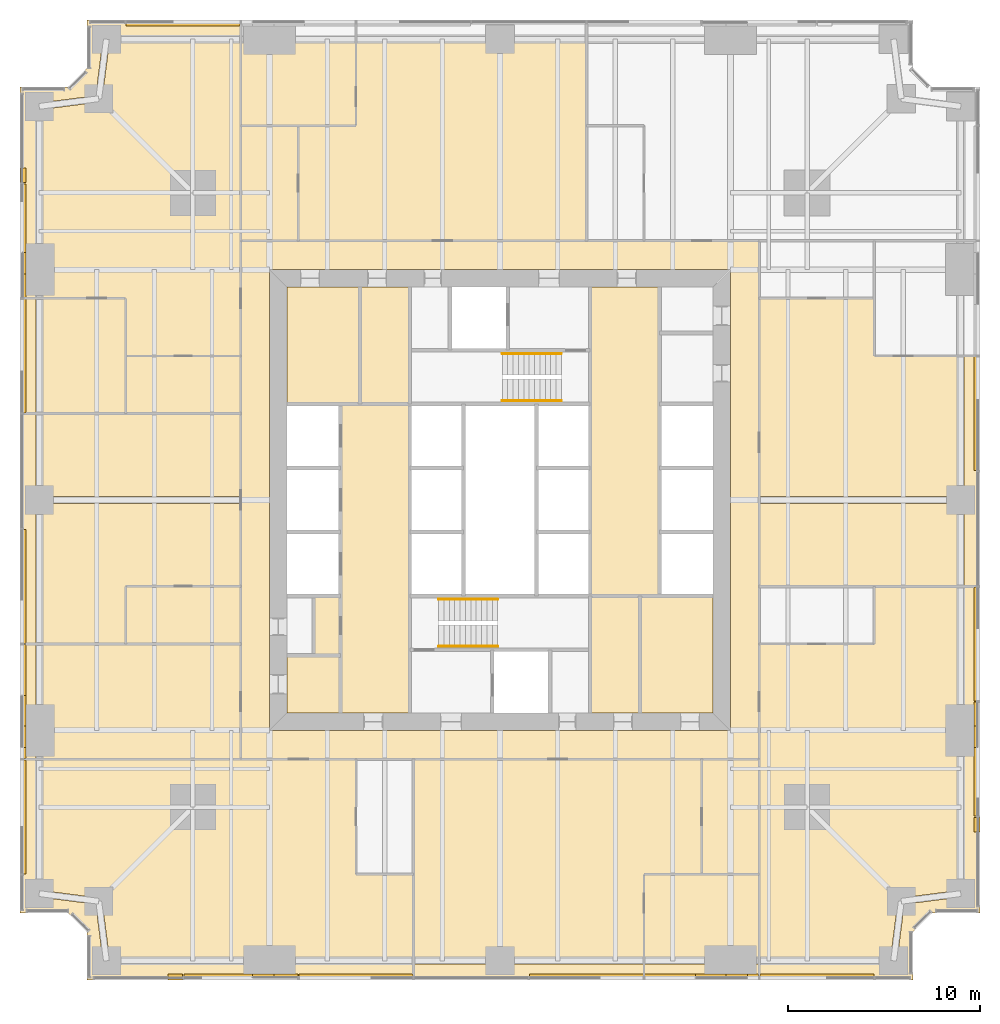
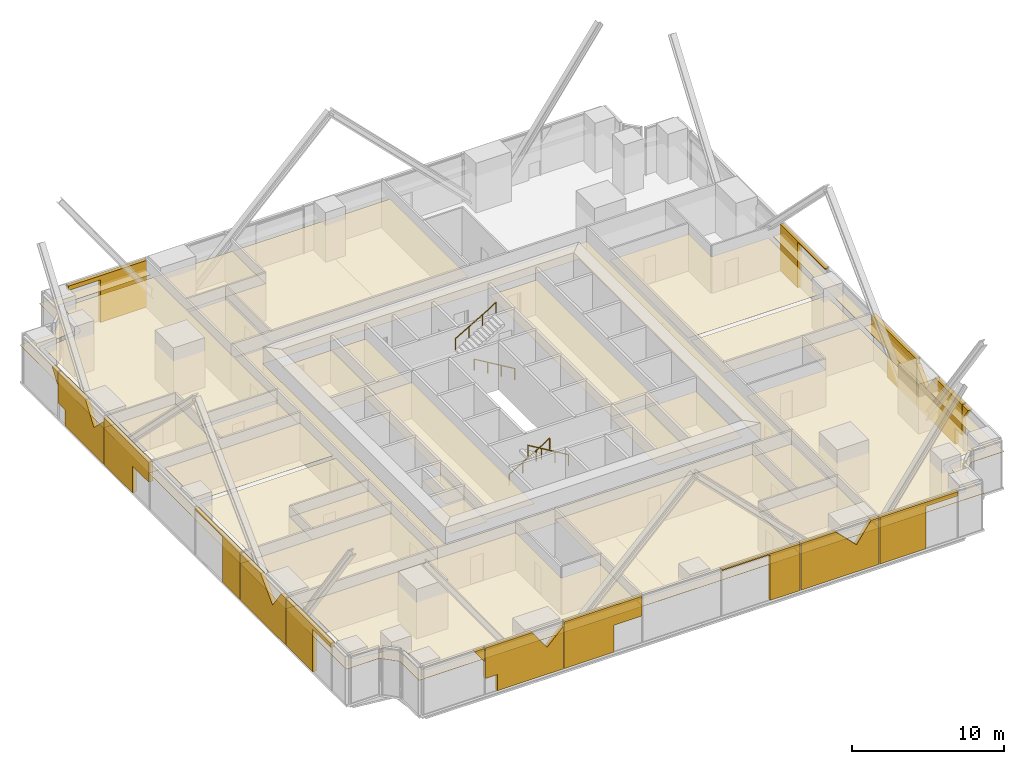
# One storey, part 12 of 13: 52 coverings, 4 railings.
"""IFC4 building model written with IfcOpenShell, lengths in metres."""

from ifc_helpers import new_model, si_unit, direction, frame, origin, origin_2d, place, context, subcontext, project, spatial, polyline, circle, outline, extrude, material, layer, layer_set, type_object, element, save


model = new_model("IFC4")

# Units and contexts
model_context = context("Model", 3, precision=1e-05, world=origin(), true_north=direction((0.0, 1.0)))
body_context = subcontext(model_context, "Body", "Model", "MODEL_VIEW")
ifc_project = project(units=[si_unit("LENGTHUNIT", "METRE"), si_unit("AREAUNIT", "SQUARE_METRE"), si_unit("VOLUMEUNIT", "CUBIC_METRE"), si_unit("PLANEANGLEUNIT", "RADIAN"), si_unit("MASSUNIT", "GRAM", prefix="KILO")], contexts=[model_context])

# Site, building, storey
site_placement = place(None, origin())
site = spatial("IfcSite", under=ifc_project, at=site_placement, CompositionType="ELEMENT")
building_placement = place(site_placement, origin())
building = spatial("IfcBuilding", under=site, at=building_placement, Name="Fenwick Lantern Interchange", CompositionType="ELEMENT")
storey_placement = place(building_placement, frame((0.0, 0.0, 55.0)))
storey = spatial("IfcBuildingStorey", under=building, at=storey_placement, Name="L12", CompositionType="ELEMENT", Elevation=55.0)

# Coverings
ifc_material_1 = material(Name="Mineral fibre acoustic tile on suspended grid")
ifc_layer_1 = layer(ifc_material_1, 0.02001953125)
ifc_layer_set_1 = layer_set([ifc_layer_1], Name="ACOUSTIC TILE CEILING 20")
covering_type_1 = type_object("IfcCoveringType", Name="ACOUSTIC TILE CEILING 20", PredefinedType="CEILING", material=ifc_layer_set_1)
covering_1_placement = place(storey_placement, frame((0.0, 0.0, 2.89990234375)))
element("IfcCovering", 1, at=covering_1_placement, inside=storey, type_object=covering_type_1, Name="Office suite ceiling", PredefinedType="CEILING", context=body_context, shape_type="SweptSolid", body=[
    extrude(outline(polyline([(20.5, 1.17236328125), (20.5, 5.5), (17.5, 5.5), (17.5, 11.5), (1.17236328125, 11.5), (1.17236328125, 4.651611328125), (4.1220703125, 4.27099609375), (4.10009765625, 4.10009765625), (4.27099609375, 4.1220703125), (4.651611328125, 1.17236328125), (13.0, 1.17236328125), (20.5, 1.17236328125)])), origin(), (0.0, 0.0, 1.0), 0.02001953125),
])
covering_2_placement = place(storey_placement, frame((0.0, 0.0, 2.89990234375)))
element("IfcCovering", 2, at=covering_2_placement, inside=storey, type_object=covering_type_1, Name="Office suite ceiling", PredefinedType="CEILING", context=body_context, shape_type="SweptSolid", body=[
    extrude(outline(polyline([(20.5, 0.0), (20.5, 0.82763671875), (13.0, 0.82763671875), (4.5, 0.82763671875), (4.5, 1.0), (4.3291015625, 0.97802734375), (3.946044921875, 3.946044921875), (0.97802734375, 4.3291015625), (1.0, 4.5), (0.82763671875, 4.5), (0.82763671875, 11.5), (0.0, 11.5), (0.0, 3.5), (2.5, 3.5), (3.5, 2.5), (3.5, 0.0), (20.5, 0.0)])), origin(), (0.0, 0.0, 1.0), 0.02001953125),
])
covering_3_placement = place(storey_placement, frame((0.0, 0.0, 2.89990234375)))
element("IfcCovering", 3, at=covering_3_placement, inside=storey, type_object=covering_type_1, Name="Office suite ceiling", PredefinedType="CEILING", context=body_context, shape_type="SweptSolid", body=[
    extrude(outline(polyline([(20.5, 11.5), (20.5, 1.17236328125), (25.0, 1.17236328125), (32.5, 1.17236328125), (32.5, 5.5), (35.5, 5.5), (35.5, 11.5), (20.5, 11.5)])), origin(), (0.0, 0.0, 1.0), 0.02001953125),
])
covering_4_placement = place(storey_placement, frame((0.0, 0.0, 2.89990234375)))
element("IfcCovering", 4, at=covering_4_placement, inside=storey, type_object=covering_type_1, Name="Office suite ceiling", PredefinedType="CEILING", context=body_context, shape_type="SweptSolid", body=[
    extrude(outline(polyline([(20.5, 0.82763671875), (20.5, 0.0), (32.5, 0.0), (32.5, 0.82763671875), (25.0, 0.82763671875), (20.5, 0.82763671875)])), origin(), (0.0, 0.0, 1.0), 0.02001953125),
])
covering_5_placement = place(storey_placement, frame((0.0, 0.0, 2.89990234375)))
element("IfcCovering", 5, at=covering_5_placement, inside=storey, type_object=covering_type_1, Name="Meeting room ceiling", PredefinedType="CEILING", context=body_context, shape_type="SweptSolid", body=[
    extrude(outline(polyline([(32.5, 5.5), (32.5, 1.17236328125), (37.0, 1.17236328125), (38.5, 1.17236328125), (38.5, 5.5), (32.5, 5.5)])), origin(), (0.0, 0.0, 1.0), 0.02001953125),
])
covering_6_placement = place(storey_placement, frame((0.0, 0.0, 2.89990234375)))
element("IfcCovering", 6, at=covering_6_placement, inside=storey, type_object=covering_type_1, Name="Meeting room ceiling", PredefinedType="CEILING", context=body_context, shape_type="SweptSolid", body=[
    extrude(outline(polyline([(38.5, 0.0), (38.5, 0.82763671875), (37.0, 0.82763671875), (32.5, 0.82763671875), (32.5, 0.0), (38.5, 0.0)])), origin(), (0.0, 0.0, 1.0), 0.02001953125),
])
covering_7_placement = place(storey_placement, frame((0.0, 0.0, 2.89990234375)))
element("IfcCovering", 7, at=covering_7_placement, inside=storey, type_object=covering_type_1, Name="Office suite ceiling", PredefinedType="CEILING", context=body_context, shape_type="SweptSolid", body=[
    extrude(outline(polyline([(48.82763671875, 20.5), (44.5, 20.5), (44.5, 17.5), (38.5, 17.5), (38.5, 1.17236328125), (45.348388671875, 1.17236328125), (45.72900390625, 4.1220703125), (45.89990234375, 4.10009765625), (45.8779296875, 4.27099609375), (48.82763671875, 4.651611328125), (48.82763671875, 13.0), (48.82763671875, 20.5)])), origin(), (0.0, 0.0, 1.0), 0.02001953125),
])
covering_8_placement = place(storey_placement, frame((0.0, 0.0, 2.89990234375)))
element("IfcCovering", 8, at=covering_8_placement, inside=storey, type_object=covering_type_1, Name="Office suite ceiling", PredefinedType="CEILING", context=body_context, shape_type="SweptSolid", body=[
    extrude(outline(polyline([(50.0, 20.5), (49.17236328125, 20.5), (49.17236328125, 13.0), (49.17236328125, 4.5), (49.0, 4.5), (49.02197265625, 4.3291015625), (46.053955078125, 3.946044921875), (45.6708984375, 0.97802734375), (45.5, 1.0), (45.5, 0.82763671875), (38.5, 0.82763671875), (38.5, 0.0), (46.5, 0.0), (46.5, 2.5), (47.5, 3.5), (50.0, 3.5), (50.0, 20.5)])), origin(), (0.0, 0.0, 1.0), 0.02001953125),
])
covering_9_placement = place(storey_placement, frame((0.0, 0.0, 2.89990234375)))
element("IfcCovering", 9, at=covering_9_placement, inside=storey, type_object=covering_type_1, Name="Office suite ceiling", PredefinedType="CEILING", context=body_context, shape_type="SweptSolid", body=[
    extrude(outline(polyline([(38.5, 35.5), (38.5, 25.175048828125), (48.82763671875, 25.175048828125), (48.82763671875, 32.5), (44.5, 32.5), (44.5, 35.5), (38.5, 35.5)])), origin(), (0.0, 0.0, 1.0), 0.02001953125),
])
covering_10_placement = place(storey_placement, frame((0.0, 0.0, 2.89990234375)))
element("IfcCovering", 10, at=covering_10_placement, inside=storey, type_object=covering_type_1, Name="Office suite ceiling", PredefinedType="CEILING", context=body_context, shape_type="SweptSolid", body=[
    extrude(outline(polyline([(38.5, 20.5), (48.82763671875, 20.5), (48.82763671875, 24.824951171875), (38.5, 24.824951171875), (38.5, 20.5)])), origin(), (0.0, 0.0, 1.0), 0.02001953125),
])
covering_11_placement = place(storey_placement, frame((0.0, 0.0, 2.89990234375)))
element("IfcCovering", 11, at=covering_11_placement, inside=storey, type_object=covering_type_1, Name="Office suite ceiling", PredefinedType="CEILING", context=body_context, shape_type="SweptSolid", body=[
    extrude(outline(polyline([(49.17236328125, 20.5), (50.0, 20.5), (50.0, 32.5), (49.17236328125, 32.5), (49.17236328125, 25.0), (49.17236328125, 20.5)])), origin(), (0.0, 0.0, 1.0), 0.02001953125),
])
covering_12_placement = place(storey_placement, frame((0.0, 0.0, 2.89990234375)))
element("IfcCovering", 12, at=covering_12_placement, inside=storey, type_object=covering_type_1, Name="Office suite ceiling", PredefinedType="CEILING", context=body_context, shape_type="SweptSolid", body=[
    extrude(outline(polyline([(29.5, 38.5), (29.5, 48.82763671875), (25.0, 48.82763671875), (17.5, 48.82763671875), (17.5, 44.5), (14.5, 44.5), (14.5, 38.5), (29.5, 38.5)])), origin(), (0.0, 0.0, 1.0), 0.02001953125),
])
covering_13_placement = place(storey_placement, frame((0.0, 0.0, 2.89990234375)))
element("IfcCovering", 13, at=covering_13_placement, inside=storey, type_object=covering_type_1, Name="Meeting room ceiling", PredefinedType="CEILING", context=body_context, shape_type="SweptSolid", body=[
    extrude(outline(polyline([(17.5, 44.5), (17.5, 48.82763671875), (13.0, 48.82763671875), (11.5, 48.82763671875), (11.5, 44.5), (17.5, 44.5)])), origin(), (0.0, 0.0, 1.0), 0.02001953125),
])
covering_14_placement = place(storey_placement, frame((0.0, 0.0, 2.89990234375)))
element("IfcCovering", 14, at=covering_14_placement, inside=storey, type_object=covering_type_1, Name="Office suite ceiling", PredefinedType="CEILING", context=body_context, shape_type="SweptSolid", body=[
    extrude(outline(polyline([(11.5, 32.5), (11.5, 48.82763671875), (4.651611328125, 48.82763671875), (4.27099609375, 45.8779296875), (4.10009765625, 45.89990234375), (4.1220703125, 45.72900390625), (1.17236328125, 45.348388671875), (1.17236328125, 37.0), (1.17236328125, 35.5), (5.5, 35.5), (5.5, 32.5), (11.5, 32.5)])), origin(), (0.0, 0.0, 1.0), 0.02001953125),
])
covering_15_placement = place(storey_placement, frame((0.0, 0.0, 2.89990234375)))
element("IfcCovering", 15, at=covering_15_placement, inside=storey, type_object=covering_type_1, Name="Office suite ceiling", PredefinedType="CEILING", context=body_context, shape_type="SweptSolid", body=[
    extrude(outline(polyline([(3.5, 47.5), (2.5, 46.5), (0.0, 46.5), (0.0, 35.5), (0.82763671875, 35.5), (0.82763671875, 37.0), (0.82763671875, 45.5), (1.0, 45.5), (0.97802734375, 45.6708984375), (3.946044921875, 46.053955078125), (4.3291015625, 49.02197265625), (4.5, 49.0), (4.5, 49.17236328125), (11.5, 49.17236328125), (11.5, 50.0), (3.5, 50.0), (3.5, 47.5)])), origin(), (0.0, 0.0, 1.0), 0.02001953125),
])
covering_16_placement = place(storey_placement, frame((0.0, 0.0, 2.89990234375)))
element("IfcCovering", 16, at=covering_16_placement, inside=storey, type_object=covering_type_1, Name="Meeting room ceiling", PredefinedType="CEILING", context=body_context, shape_type="SweptSolid", body=[
    extrude(outline(polyline([(5.5, 35.5), (1.17236328125, 35.5), (1.17236328125, 29.5), (5.5, 29.5), (5.5, 35.5)])), origin(), (0.0, 0.0, 1.0), 0.02001953125),
])
covering_17_placement = place(storey_placement, frame((0.0, 0.0, 2.89990234375)))
element("IfcCovering", 17, at=covering_17_placement, inside=storey, type_object=covering_type_1, Name="Meeting room ceiling", PredefinedType="CEILING", context=body_context, shape_type="SweptSolid", body=[
    extrude(outline(polyline([(0.0, 29.5), (0.82763671875, 29.5), (0.82763671875, 35.5), (0.0, 35.5), (0.0, 29.5)])), origin(), (0.0, 0.0, 1.0), 0.02001953125),
])
covering_18_placement = place(storey_placement, frame((0.0, 0.0, 2.89990234375)))
element("IfcCovering", 18, at=covering_18_placement, inside=storey, type_object=covering_type_1, Name="Office suite ceiling", PredefinedType="CEILING", context=body_context, shape_type="SweptSolid", body=[
    extrude(outline(polyline([(11.5, 20.5), (11.5, 24.824951171875), (1.17236328125, 24.824951171875), (1.17236328125, 17.5), (5.5, 17.5), (5.5, 20.5), (11.5, 20.5)])), origin(), (0.0, 0.0, 1.0), 0.02001953125),
])
covering_19_placement = place(storey_placement, frame((0.0, 0.0, 2.89990234375)))
element("IfcCovering", 19, at=covering_19_placement, inside=storey, type_object=covering_type_1, Name="Office suite ceiling", PredefinedType="CEILING", context=body_context, shape_type="SweptSolid", body=[
    extrude(outline(polyline([(11.5, 29.5), (1.17236328125, 29.5), (1.17236328125, 25.175048828125), (11.5, 25.175048828125), (11.5, 29.5)])), origin(), (0.0, 0.0, 1.0), 0.02001953125),
])
covering_20_placement = place(storey_placement, frame((0.0, 0.0, 2.89990234375)))
element("IfcCovering", 20, at=covering_20_placement, inside=storey, type_object=covering_type_1, Name="Office suite ceiling", PredefinedType="CEILING", context=body_context, shape_type="SweptSolid", body=[
    extrude(outline(polyline([(0.82763671875, 29.5), (0.0, 29.5), (0.0, 17.5), (0.82763671875, 17.5), (0.82763671875, 25.0), (0.82763671875, 29.5)])), origin(), (0.0, 0.0, 1.0), 0.02001953125),
])
covering_21_placement = place(storey_placement, frame((0.0, 0.0, 2.89990234375)))
element("IfcCovering", 21, at=covering_21_placement, inside=storey, type_object=covering_type_1, Name="Office ceiling", PredefinedType="CEILING", context=body_context, shape_type="SweptSolid", body=[
    extrude(outline(polyline([(5.5, 20.5), (5.5, 17.5), (11.5, 17.5), (11.5, 20.5), (5.5, 20.5)])), origin(), (0.0, 0.0, 1.0), 0.02001953125),
])
covering_22_placement = place(storey_placement, frame((0.0, 0.0, 2.89990234375)))
element("IfcCovering", 22, at=covering_22_placement, inside=storey, type_object=covering_type_1, Name="Office suite ceiling", PredefinedType="CEILING", context=body_context, shape_type="SweptSolid", body=[
    extrude(outline(polyline([(11.5, 17.5), (1.17236328125, 17.5), (1.17236328125, 13.0), (1.17236328125, 11.5), (11.5, 11.5), (11.5, 17.5)])), origin(), (0.0, 0.0, 1.0), 0.02001953125),
])
covering_23_placement = place(storey_placement, frame((0.0, 0.0, 2.89990234375)))
element("IfcCovering", 23, at=covering_23_placement, inside=storey, type_object=covering_type_1, Name="Office suite ceiling", PredefinedType="CEILING", context=body_context, shape_type="SweptSolid", body=[
    extrude(outline(polyline([(0.0, 17.5), (0.0, 11.5), (0.82763671875, 11.5), (0.82763671875, 13.0), (0.82763671875, 17.5), (0.0, 17.5)])), origin(), (0.0, 0.0, 1.0), 0.02001953125),
])
ifc_material_2 = material(Name="Granite cladding, warm grey flamed finish, on aluminium carrier frame", Category="masonry")
ifc_layer_2 = layer(ifc_material_2, 0.300048828125)
ifc_layer_set_2 = layer_set([ifc_layer_2], Name="BRACE CASING PANEL 300")
covering_type_2 = type_object("IfcCoveringType", Name="BRACE CASING PANEL 300", PredefinedType="CLADDING", material=ifc_layer_set_2)
covering_24_placement = place(storey_placement, frame((3.60009765625, 0.10009765625, 2.6787109375), z_axis=(0.0, 0.0, 1.0), x_axis=(1.0, 0.0, 0.0)))
element("IfcCovering", 24, at=covering_24_placement, inside=storey, type_object=covering_type_2, Name="Brace casing 01 bay 00a", PredefinedType="CLADDING", context=body_context, shape_type="SweptSolid", body=[
    extrude(outline(polyline([(4.867431640625, 0.0), (4.867431640625, 1.0712890625), (4.108642578125, 1.0712890625), (4.867431640625, 0.0)])), frame((0.0, 0.2001953125, 0.0), z_axis=(0.0, -1.0, 0.0), x_axis=(1.0, 0.0, 0.0)), (0.0, 0.0, 1.0), 0.300048828125),
])
covering_25_placement = place(storey_placement, frame((3.60009765625, 0.10009765625, 0.0), z_axis=(0.0, 0.0, 1.0), x_axis=(1.0, 0.0, 0.0)))
element("IfcCovering", 25, at=covering_25_placement, inside=storey, type_object=covering_type_2, Name="Brace casing 01 bay 01a", PredefinedType="CLADDING", context=body_context, shape_type="SweptSolid", body=[
    extrude(outline(polyline([(5.847412109375, 0.0), (10.867431640625, 0.0), (10.867431640625, 3.406982421875), (9.6357421875, 2.17529296875), (8.520263671875, 3.75), (4.9326171875, 3.75), (4.9326171875, 1.295166015625), (5.847412109375, 1.295166015625), (5.847412109375, 0.0)])), frame((0.0, 0.2001953125, 0.0), z_axis=(0.0, -1.0, 0.0), x_axis=(1.0, 0.0, 0.0)), (0.0, 0.0, 1.0), 0.300048828125),
])
covering_26_placement = place(storey_placement, frame((3.60009765625, 0.10009765625, 0.0), z_axis=(0.0, 0.0, 1.0), x_axis=(1.0, 0.0, 0.0)))
element("IfcCovering", 26, at=covering_26_placement, inside=storey, type_object=covering_type_2, Name="Brace casing 01 bay 02a", PredefinedType="CLADDING", context=body_context, shape_type="SweptSolid", body=[
    extrude(outline(polyline([(10.9326171875, 0.0), (14.711669921875, 0.0), (14.711669921875, 2.159912109375), (16.867431640625, 2.159912109375), (16.867431640625, 3.75), (10.9326171875, 3.75), (10.9326171875, 0.0)])), frame((0.0, 0.2001953125, 0.0), z_axis=(0.0, -1.0, 0.0), x_axis=(1.0, 0.0, 0.0)), (0.0, 0.0, 1.0), 0.300048828125),
])
covering_27_placement = place(storey_placement, frame((3.60009765625, 0.10009765625, 0.0), z_axis=(0.0, 0.0, 1.0), x_axis=(1.0, 0.0, 0.0)))
element("IfcCovering", 27, at=covering_27_placement, inside=storey, type_object=covering_type_2, Name="Brace casing 01 bay 04a", PredefinedType="CLADDING", context=body_context, shape_type="SweptSolid", body=[
    extrude(outline(polyline([(26.592529296875, 0.0), (28.867431640625, 0.0), (28.867431640625, 3.75), (22.9326171875, 3.75), (22.9326171875, 3.656005859375), (26.592529296875, 3.656005859375), (26.592529296875, 0.0)])), frame((0.0, 0.2001953125, 0.0), z_axis=(0.0, -1.0, 0.0), x_axis=(1.0, 0.0, 0.0)), (0.0, 0.0, 1.0), 0.300048828125),
])
covering_28_placement = place(storey_placement, frame((3.60009765625, 0.10009765625, 0.0), z_axis=(0.0, 0.0, 1.0), x_axis=(1.0, 0.0, 0.0)))
element("IfcCovering", 28, at=covering_28_placement, inside=storey, type_object=covering_type_2, Name="Brace casing 01 bay 05a", PredefinedType="CLADDING", context=body_context, shape_type="SweptSolid", body=[
    extrude(outline(polyline([(28.9326171875, 0.0), (34.867431640625, 0.0), (34.867431640625, 3.75), (34.27978515625, 3.75), (33.164306640625, 2.17529296875), (31.589599609375, 3.75), (28.9326171875, 3.75), (28.9326171875, 0.0)])), frame((0.0, 0.2001953125, 0.0), z_axis=(0.0, -1.0, 0.0), x_axis=(1.0, 0.0, 0.0)), (0.0, 0.0, 1.0), 0.300048828125),
])
covering_29_placement = place(storey_placement, frame((3.60009765625, 0.10009765625, 0.0), z_axis=(0.0, 0.0, 1.0), x_axis=(1.0, 0.0, 0.0)))
element("IfcCovering", 29, at=covering_29_placement, inside=storey, type_object=covering_type_2, Name="Brace casing 01 bay 06a", PredefinedType="CLADDING", context=body_context, shape_type="SweptSolid", body=[
    extrude(outline(polyline([(34.9326171875, 0.0), (38.449951171875, 0.0), (38.449951171875, 3.409423828125), (40.867431640625, 3.409423828125), (40.867431640625, 3.75), (34.9326171875, 3.75), (34.9326171875, 0.0)])), frame((0.0, 0.2001953125, 0.0), z_axis=(0.0, -1.0, 0.0), x_axis=(1.0, 0.0, 0.0)), (0.0, 0.0, 1.0), 0.300048828125),
])
covering_30_placement = place(storey_placement, frame((49.89990234375, 3.60009765625, 2.6787109375), z_axis=(0.0, 0.0, 1.0), x_axis=(0.0, 1.0, 0.0)))
element("IfcCovering", 30, at=covering_30_placement, inside=storey, type_object=covering_type_2, Name="Brace casing 05 bay 00a", PredefinedType="CLADDING", context=body_context, shape_type="SweptSolid", body=[
    extrude(outline(polyline([(4.867431640625, 0.0), (4.867431640625, 1.0712890625), (4.108642578125, 1.0712890625), (4.867431640625, 0.0)])), frame((0.0, 0.2001953125, 0.0), z_axis=(0.0, -1.0, 0.0), x_axis=(1.0, 0.0, 0.0)), (0.0, 0.0, 1.0), 0.300048828125),
])
covering_31_placement = place(storey_placement, frame((49.89990234375, 3.60009765625, 0.0), z_axis=(0.0, 0.0, 1.0), x_axis=(0.0, 1.0, 0.0)))
element("IfcCovering", 31, at=covering_31_placement, inside=storey, type_object=covering_type_2, Name="Brace casing 05 bay 01a", PredefinedType="CLADDING", context=body_context, shape_type="SweptSolid", body=[
    extrude(outline(polyline([(5.847412109375, 0.0), (10.867431640625, 0.0), (10.867431640625, 3.406982421875), (9.6357421875, 2.17529296875), (8.520263671875, 3.75), (4.9326171875, 3.75), (4.9326171875, 1.295166015625), (5.847412109375, 1.295166015625), (5.847412109375, 0.0)])), frame((0.0, 0.2001953125, 0.0), z_axis=(0.0, -1.0, 0.0), x_axis=(1.0, 0.0, 0.0)), (0.0, 0.0, 1.0), 0.300048828125),
])
covering_32_placement = place(storey_placement, frame((49.89990234375, 3.60009765625, 0.0), z_axis=(0.0, 0.0, 1.0), x_axis=(0.0, 1.0, 0.0)))
element("IfcCovering", 32, at=covering_32_placement, inside=storey, type_object=covering_type_2, Name="Brace casing 05 bay 02a", PredefinedType="CLADDING", context=body_context, shape_type="SweptSolid", body=[
    extrude(outline(polyline([(10.9326171875, 0.0), (14.711669921875, 0.0), (14.711669921875, 2.159912109375), (16.867431640625, 2.159912109375), (16.867431640625, 3.75), (10.9326171875, 3.75), (10.9326171875, 0.0)])), frame((0.0, 0.2001953125, 0.0), z_axis=(0.0, -1.0, 0.0), x_axis=(1.0, 0.0, 0.0)), (0.0, 0.0, 1.0), 0.300048828125),
])
covering_33_placement = place(storey_placement, frame((49.89990234375, 3.60009765625, 0.0), z_axis=(0.0, 0.0, 1.0), x_axis=(0.0, 1.0, 0.0)))
element("IfcCovering", 33, at=covering_33_placement, inside=storey, type_object=covering_type_2, Name="Brace casing 05 bay 04a", PredefinedType="CLADDING", context=body_context, shape_type="SweptSolid", body=[
    extrude(outline(polyline([(26.592529296875, 0.0), (28.867431640625, 0.0), (28.867431640625, 3.75), (22.9326171875, 3.75), (22.9326171875, 3.656005859375), (26.592529296875, 3.656005859375), (26.592529296875, 0.0)])), frame((0.0, 0.2001953125, 0.0), z_axis=(0.0, -1.0, 0.0), x_axis=(1.0, 0.0, 0.0)), (0.0, 0.0, 1.0), 0.300048828125),
])
covering_34_placement = place(storey_placement, frame((46.39990234375, 49.89990234375, 0.0), z_axis=(0.0, 0.0, 1.0), x_axis=(-1.0, 0.0, 0.0)))
element("IfcCovering", 34, at=covering_34_placement, inside=storey, type_object=covering_type_2, Name="Brace casing 09 bay 06a", PredefinedType="CLADDING", context=body_context, shape_type="SweptSolid", body=[
    extrude(outline(polyline([(34.9326171875, 0.0), (38.449951171875, 0.0), (38.449951171875, 3.409423828125), (40.867431640625, 3.409423828125), (40.867431640625, 3.75), (34.9326171875, 3.75), (34.9326171875, 0.0)])), frame((0.0, 0.2001953125, 0.0), z_axis=(0.0, -1.0, 0.0), x_axis=(1.0, 0.0, 0.0)), (0.0, 0.0, 1.0), 0.300048828125),
])
covering_35_placement = place(storey_placement, frame((0.10009765625, 46.39990234375, 2.6787109375), z_axis=(0.0, 0.0, 1.0), x_axis=(0.0, -1.0, 0.0)))
element("IfcCovering", 35, at=covering_35_placement, inside=storey, type_object=covering_type_2, Name="Brace casing 13 bay 00a", PredefinedType="CLADDING", context=body_context, shape_type="SweptSolid", body=[
    extrude(outline(polyline([(4.867431640625, 0.0), (4.867431640625, 1.0712890625), (4.108642578125, 1.0712890625), (4.867431640625, 0.0)])), frame((0.0, 0.2001953125, 0.0), z_axis=(0.0, -1.0, 0.0), x_axis=(1.0, 0.0, 0.0)), (0.0, 0.0, 1.0), 0.300048828125),
])
covering_36_placement = place(storey_placement, frame((0.10009765625, 46.39990234375, 0.0), z_axis=(0.0, 0.0, 1.0), x_axis=(0.0, -1.0, 0.0)))
element("IfcCovering", 36, at=covering_36_placement, inside=storey, type_object=covering_type_2, Name="Brace casing 13 bay 01a", PredefinedType="CLADDING", context=body_context, shape_type="SweptSolid", body=[
    extrude(outline(polyline([(5.847412109375, 0.0), (10.867431640625, 0.0), (10.867431640625, 3.406982421875), (9.6357421875, 2.17529296875), (8.520263671875, 3.75), (4.9326171875, 3.75), (4.9326171875, 1.295166015625), (5.847412109375, 1.295166015625), (5.847412109375, 0.0)])), frame((0.0, 0.2001953125, 0.0), z_axis=(0.0, -1.0, 0.0), x_axis=(1.0, 0.0, 0.0)), (0.0, 0.0, 1.0), 0.300048828125),
])
covering_37_placement = place(storey_placement, frame((0.10009765625, 46.39990234375, 0.0), z_axis=(0.0, 0.0, 1.0), x_axis=(0.0, -1.0, 0.0)))
element("IfcCovering", 37, at=covering_37_placement, inside=storey, type_object=covering_type_2, Name="Brace casing 13 bay 02a", PredefinedType="CLADDING", context=body_context, shape_type="SweptSolid", body=[
    extrude(outline(polyline([(10.9326171875, 0.0), (14.711669921875, 0.0), (14.711669921875, 2.159912109375), (16.867431640625, 2.159912109375), (16.867431640625, 3.75), (10.9326171875, 3.75), (10.9326171875, 0.0)])), frame((0.0, 0.2001953125, 0.0), z_axis=(0.0, -1.0, 0.0), x_axis=(1.0, 0.0, 0.0)), (0.0, 0.0, 1.0), 0.300048828125),
])
covering_38_placement = place(storey_placement, frame((0.10009765625, 46.39990234375, 0.0), z_axis=(0.0, 0.0, 1.0), x_axis=(0.0, -1.0, 0.0)))
element("IfcCovering", 38, at=covering_38_placement, inside=storey, type_object=covering_type_2, Name="Brace casing 13 bay 04a", PredefinedType="CLADDING", context=body_context, shape_type="SweptSolid", body=[
    extrude(outline(polyline([(26.592529296875, 0.0), (28.867431640625, 0.0), (28.867431640625, 3.75), (22.9326171875, 3.75), (22.9326171875, 3.656005859375), (26.592529296875, 3.656005859375), (26.592529296875, 0.0)])), frame((0.0, 0.2001953125, 0.0), z_axis=(0.0, -1.0, 0.0), x_axis=(1.0, 0.0, 0.0)), (0.0, 0.0, 1.0), 0.300048828125),
])
covering_39_placement = place(storey_placement, frame((0.10009765625, 46.39990234375, 0.0), z_axis=(0.0, 0.0, 1.0), x_axis=(0.0, -1.0, 0.0)))
element("IfcCovering", 39, at=covering_39_placement, inside=storey, type_object=covering_type_2, Name="Brace casing 13 bay 05a", PredefinedType="CLADDING", context=body_context, shape_type="SweptSolid", body=[
    extrude(outline(polyline([(28.9326171875, 0.0), (34.867431640625, 0.0), (34.867431640625, 3.75), (34.27978515625, 3.75), (33.164306640625, 2.17529296875), (31.589599609375, 3.75), (28.9326171875, 3.75), (28.9326171875, 0.0)])), frame((0.0, 0.2001953125, 0.0), z_axis=(0.0, -1.0, 0.0), x_axis=(1.0, 0.0, 0.0)), (0.0, 0.0, 1.0), 0.300048828125),
])
covering_40_placement = place(storey_placement, frame((0.10009765625, 46.39990234375, 0.0), z_axis=(0.0, 0.0, 1.0), x_axis=(0.0, -1.0, 0.0)))
element("IfcCovering", 40, at=covering_40_placement, inside=storey, type_object=covering_type_2, Name="Brace casing 13 bay 06a", PredefinedType="CLADDING", context=body_context, shape_type="SweptSolid", body=[
    extrude(outline(polyline([(34.9326171875, 0.0), (38.449951171875, 0.0), (38.449951171875, 3.409423828125), (40.867431640625, 3.409423828125), (40.867431640625, 3.75), (34.9326171875, 3.75), (34.9326171875, 0.0)])), frame((0.0, 0.2001953125, 0.0), z_axis=(0.0, -1.0, 0.0), x_axis=(1.0, 0.0, 0.0)), (0.0, 0.0, 1.0), 0.300048828125),
])

# Railings
ifc_material_3 = material(Name="Stainless steel handrail", Category="steel")
railing_type = type_object("IfcRailingType", Name="HANDRAIL 900", PredefinedType="HANDRAIL", material=ifc_material_3)
railing_1_placement = place(storey_placement, frame((21.800048828125, 19.825927734375, 0.166748046875)))
element("IfcRailing", 41, at=railing_1_placement, inside=storey, type_object=railing_type, Name="L12/STAIR/ST1/HR1", PredefinedType="HANDRAIL", context=body_context, shape_type="SweptSolid", body=[
    extrude(circle(Radius=0.02392578125, at=origin_2d()), frame((0.0, 0.0, 0.8759765625), z_axis=(0.859290745958, 0.0, 0.51148745235), x_axis=(0.0, 1.0, 0.0)), (0.0, 0.0, 1.0), 3.584228515625),
    extrude(circle(Radius=0.02099609375, at=origin_2d()), origin(), (0.0, 0.0, 1.0), 0.851806640625),
    extrude(circle(Radius=0.02099609375, at=origin_2d()), frame((1.026611328125, 0.0, 0.611083984375)), (0.0, 0.0, 1.0), 0.851806640625),
    extrude(circle(Radius=0.02099609375, at=origin_2d()), frame((2.05322265625, 0.0, 1.22216796875)), (0.0, 0.0, 1.0), 0.851806640625),
    extrude(circle(Radius=0.02099609375, at=origin_2d()), frame((3.079833984375, 0.0, 1.833251953125)), (0.0, 0.0, 1.0), 0.851806640625),
])
for number, where, name in (
    (42, (24.8798828125, 17.3740234375, 2.166748046875), "L12/STAIR/ST1/HR2"),
    (43, (28.199951171875, 30.174072265625, 0.166748046875), "L12/STAIR/ST2/HR1"),
):
    element("IfcRailing", number, at=place(storey_placement, frame(where)), inside=storey, type_object=railing_type, Name=name, PredefinedType="HANDRAIL", context=body_context, shape_type="SweptSolid", body=[
        extrude(circle(Radius=0.02392578125, at=origin_2d()), frame((0.0, 0.0, 0.8759765625), z_axis=(-0.859290745958, 0.0, 0.51148745235), x_axis=(0.0, -1.0, 0.0)), (0.0, 0.0, 1.0), 3.584228515625),
        extrude(circle(Radius=0.02099609375, at=origin_2d()), origin(), (0.0, 0.0, 1.0), 0.851806640625),
        extrude(circle(Radius=0.02099609375, at=origin_2d()), frame((-1.026611328125, 0.0, 0.611083984375)), (0.0, 0.0, 1.0), 0.851806640625),
        extrude(circle(Radius=0.02099609375, at=origin_2d()), frame((-2.05322265625, 0.0, 1.22216796875)), (0.0, 0.0, 1.0), 0.851806640625),
        extrude(circle(Radius=0.02099609375, at=origin_2d()), frame((-3.079833984375, 0.0, 1.833251953125)), (0.0, 0.0, 1.0), 0.851806640625),
    ])
railing_2_placement = place(storey_placement, frame((25.1201171875, 32.6259765625, 2.166748046875)))
element("IfcRailing", 44, at=railing_2_placement, inside=storey, type_object=railing_type, Name="L12/STAIR/ST2/HR2", PredefinedType="HANDRAIL", context=body_context, shape_type="SweptSolid", body=[
    extrude(circle(Radius=0.02392578125, at=origin_2d()), frame((0.0, 0.0, 0.8759765625), z_axis=(0.859290745958, 0.0, 0.51148745235), x_axis=(0.0, 1.0, 0.0)), (0.0, 0.0, 1.0), 3.584228515625),
    extrude(circle(Radius=0.02099609375, at=origin_2d()), origin(), (0.0, 0.0, 1.0), 0.851806640625),
    extrude(circle(Radius=0.02099609375, at=origin_2d()), frame((1.026611328125, 0.0, 0.611083984375)), (0.0, 0.0, 1.0), 0.851806640625),
    extrude(circle(Radius=0.02099609375, at=origin_2d()), frame((2.05322265625, 0.0, 1.22216796875)), (0.0, 0.0, 1.0), 0.851806640625),
    extrude(circle(Radius=0.02099609375, at=origin_2d()), frame((3.079833984375, 0.0, 1.833251953125)), (0.0, 0.0, 1.0), 0.851806640625),
])

# Coverings
ifc_material_4 = material(Name="Moisture resistant gypsum board on suspended frame, painted")
ifc_layer_3 = layer(ifc_material_4, 0.014892578125)
ifc_layer_set_3 = layer_set([ifc_layer_3], Name="MOISTURE RESISTANT CEILING 15")
covering_type_3 = type_object("IfcCoveringType", Name="MOISTURE RESISTANT CEILING 15", PredefinedType="CEILING", material=ifc_layer_set_3)
covering_41_placement = place(storey_placement, frame((0.0, 0.0, 2.60009765625)))
element("IfcCovering", 45, at=covering_41_placement, inside=storey, type_object=covering_type_3, Name="Men's WC ceiling", PredefinedType="CEILING", context=body_context, shape_type="SweptSolid", body=[
    extrude(outline(polyline([(29.699951171875, 13.89990234375), (32.300048828125, 13.89990234375), (32.300048828125, 20.0), (29.699951171875, 20.0), (29.699951171875, 13.89990234375)])), origin(), (0.0, 0.0, 1.0), 0.014892578125),
])
covering_42_placement = place(storey_placement, frame((0.0, 0.0, 2.60009765625)))
element("IfcCovering", 46, at=covering_42_placement, inside=storey, type_object=covering_type_3, Name="Women's WC ceiling", PredefinedType="CEILING", context=body_context, shape_type="SweptSolid", body=[
    extrude(outline(polyline([(32.300048828125, 13.89990234375), (36.10009765625, 13.89990234375), (36.10009765625, 20.0), (32.300048828125, 20.0), (32.300048828125, 13.89990234375)])), origin(), (0.0, 0.0, 1.0), 0.014892578125),
])
covering_43_placement = place(storey_placement, frame((0.0, 0.0, 2.60009765625)))
element("IfcCovering", 47, at=covering_43_placement, inside=storey, type_object=covering_type_3, Name="Accessible WC ceiling", PredefinedType="CEILING", context=body_context, shape_type="SweptSolid", body=[
    extrude(outline(polyline([(13.89990234375, 13.89990234375), (16.699951171875, 13.89990234375), (16.699951171875, 16.89990234375), (13.89990234375, 16.89990234375), (13.89990234375, 13.89990234375)])), origin(), (0.0, 0.0, 1.0), 0.014892578125),
])
covering_44_placement = place(storey_placement, frame((0.0, 0.0, 2.699951171875)))
element("IfcCovering", 48, at=covering_44_placement, inside=storey, type_object=covering_type_3, Name="Pantry store ceiling", PredefinedType="CEILING", context=body_context, shape_type="SweptSolid", body=[
    extrude(outline(polyline([(15.300048828125, 16.89990234375), (16.699951171875, 16.89990234375), (16.699951171875, 20.0), (15.300048828125, 20.0), (15.300048828125, 16.89990234375)])), origin(), (0.0, 0.0, 1.0), 0.01513671875),
])
covering_45_placement = place(storey_placement, frame((0.0, 0.0, 2.60009765625)))
element("IfcCovering", 49, at=covering_45_placement, inside=storey, type_object=covering_type_3, Name="Men's WC ceiling", PredefinedType="CEILING", context=body_context, shape_type="SweptSolid", body=[
    extrude(outline(polyline([(20.300048828125, 36.10009765625), (17.699951171875, 36.10009765625), (17.699951171875, 30.0), (20.300048828125, 30.0), (20.300048828125, 36.10009765625)])), origin(), (0.0, 0.0, 1.0), 0.014892578125),
])
covering_46_placement = place(storey_placement, frame((0.0, 0.0, 2.60009765625)))
element("IfcCovering", 50, at=covering_46_placement, inside=storey, type_object=covering_type_3, Name="Women's WC ceiling", PredefinedType="CEILING", context=body_context, shape_type="SweptSolid", body=[
    extrude(outline(polyline([(17.699951171875, 36.10009765625), (13.89990234375, 36.10009765625), (13.89990234375, 30.0), (17.699951171875, 30.0), (17.699951171875, 36.10009765625)])), origin(), (0.0, 0.0, 1.0), 0.014892578125),
])
covering_47_placement = place(storey_placement, frame((0.0, 0.0, 2.699951171875)))
element("IfcCovering", 51, at=covering_47_placement, inside=storey, type_object=covering_type_3, Name="Pantry ceiling", PredefinedType="CEILING", context=body_context, shape_type="SweptSolid", body=[
    extrude(outline(polyline([(35.5, 5.5), (38.5, 5.5), (38.5, 11.5), (35.5, 11.5), (35.5, 5.5)])), origin(), (0.0, 0.0, 1.0), 0.01513671875),
])
covering_48_placement = place(storey_placement, frame((0.0, 0.0, 2.699951171875)))
element("IfcCovering", 52, at=covering_48_placement, inside=storey, type_object=covering_type_3, Name="Pantry ceiling", PredefinedType="CEILING", context=body_context, shape_type="SweptSolid", body=[
    extrude(outline(polyline([(14.5, 44.5), (11.5, 44.5), (11.5, 38.5), (14.5, 38.5), (14.5, 44.5)])), origin(), (0.0, 0.0, 1.0), 0.01513671875),
])
covering_49_placement = place(storey_placement, frame((0.0, 0.0, 2.699951171875)))
element("IfcCovering", 53, at=covering_49_placement, inside=storey, type_object=covering_type_3, Name="Pantry ceiling", PredefinedType="CEILING", context=body_context, shape_type="SweptSolid", body=[
    extrude(outline(polyline([(5.5, 32.5), (5.5, 29.5), (11.5, 29.5), (11.5, 32.5), (5.5, 32.5)])), origin(), (0.0, 0.0, 1.0), 0.01513671875),
])
ifc_material_5 = material(Name="Gypsum plasterboard on suspended frame, painted")
ifc_layer_4 = layer(ifc_material_5, 0.014892578125)
ifc_layer_set_4 = layer_set([ifc_layer_4], Name="PLASTERBOARD CEILING 15")
covering_type_4 = type_object("IfcCoveringType", Name="PLASTERBOARD CEILING 15", PredefinedType="CEILING", material=ifc_layer_set_4)
covering_50_placement = place(storey_placement, frame((0.0, 0.0, 2.800048828125)))
element("IfcCovering", 54, at=covering_50_placement, inside=storey, type_object=covering_type_4, Name="Lift lobby ceiling", PredefinedType="CEILING", context=body_context, shape_type="SweptSolid", body=[
    extrude(outline(polyline([(16.699951171875, 13.89990234375), (20.300048828125, 13.89990234375), (20.300048828125, 30.0), (16.699951171875, 30.0), (16.699951171875, 13.89990234375)])), origin(), (0.0, 0.0, 1.0), 0.014892578125),
])
covering_51_placement = place(storey_placement, frame((0.0, 0.0, 2.800048828125)))
element("IfcCovering", 55, at=covering_51_placement, inside=storey, type_object=covering_type_4, Name="Lift lobby ceiling", PredefinedType="CEILING", context=body_context, shape_type="SweptSolid", body=[
    extrude(outline(polyline([(33.300048828125, 36.10009765625), (29.699951171875, 36.10009765625), (29.699951171875, 20.0), (33.300048828125, 20.0), (33.300048828125, 36.10009765625)])), origin(), (0.0, 0.0, 1.0), 0.014892578125),
])
covering_52_placement = place(storey_placement, frame((0.0, 0.0, 2.60009765625)))
element("IfcCovering", 56, at=covering_52_placement, inside=storey, type_object=covering_type_4, Name="Corridor ceiling", PredefinedType="CEILING", context=body_context, shape_type="SweptSolid", body=[
    extrude(outline(polyline([(11.5, 38.5), (11.5, 11.5), (38.5, 11.5), (38.5, 38.5), (11.5, 38.5)]), holes=[polyline([(37.0, 13.0), (13.0, 13.0), (13.0, 37.0), (37.0, 37.0), (37.0, 13.0)])]), origin(), (0.0, 0.0, 1.0), 0.014892578125),
])

save(model, "model.ifc")
